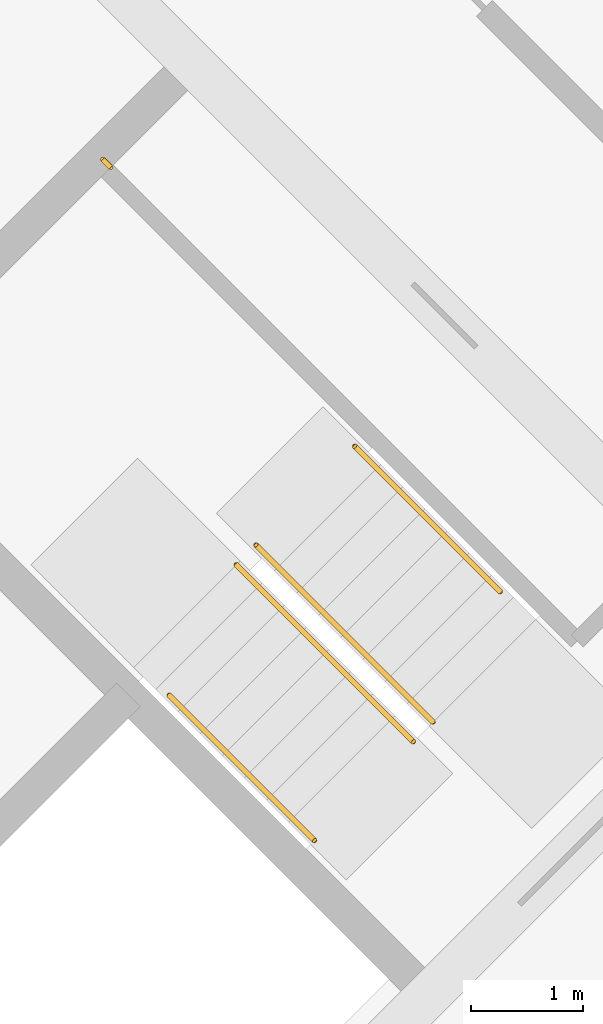
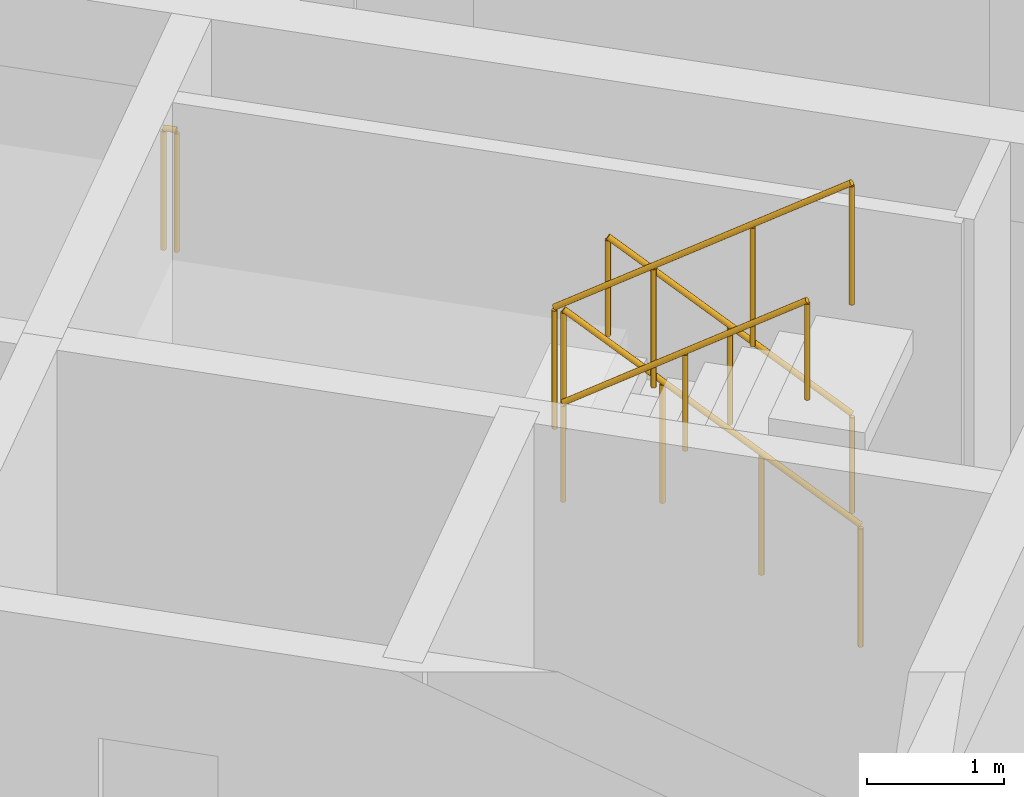
# One storey, part 13 of 13: 5 railings.
"""IFC4 building model written with IfcOpenShell, lengths in metres."""

from ifc_helpers import new_model, si_unit, direction, frame, origin, origin_2d, place, context, subcontext, project, spatial, circle, extrude, material, type_object, element, save


model = new_model("IFC4")

# Units and contexts
model_context = context("Model", 3, precision=1e-05, world=origin(), true_north=direction((0.0, 1.0)))
body_context = subcontext(model_context, "Body", "Model", "MODEL_VIEW")
ifc_project = project(units=[si_unit("LENGTHUNIT", "METRE"), si_unit("AREAUNIT", "SQUARE_METRE"), si_unit("VOLUMEUNIT", "CUBIC_METRE"), si_unit("PLANEANGLEUNIT", "RADIAN"), si_unit("MASSUNIT", "GRAM", prefix="KILO")], contexts=[model_context])

# Site, building, storey
site_placement = place(None, origin())
site = spatial("IfcSite", under=ifc_project, at=site_placement, CompositionType="ELEMENT")
building_placement = place(site_placement, origin())
building = spatial("IfcBuilding", under=site, at=building_placement, Name="Windrow Commons", CompositionType="ELEMENT")
storey_placement = place(building_placement, frame((0.0, 0.0, 264.2)))
storey = spatial("IfcBuildingStorey", under=building, at=storey_placement, Name="L72", CompositionType="ELEMENT", Elevation=264.2)

# Railings
ifc_material_1 = material(Name="Steel S355", Category="steel")
railing_type_1 = type_object("IfcRailingType", Name="Core stair guard 1100", PredefinedType="GUARDRAIL", material=ifc_material_1)
railing_1_placement = place(storey_placement, frame((94.2296, 48.4215, 0.1889)))
element("IfcRailing", 1, at=railing_1_placement, inside=storey, type_object=railing_type_1, Name="L72 ST-B2 stair guard 1", PredefinedType="GUARDRAIL", context=body_context, shape_type="SweptSolid", body=[
    extrude(circle(Radius=0.024, at=origin_2d()), frame((0.0, 0.0, 1.076), z_axis=(-0.5862157828, 0.5861787742, 0.5592365337), x_axis=(-0.7070844598, -0.7071291018, 0.0)), (0.0, 0.0, 1.0), 2.7021),
    extrude(circle(Radius=0.021, at=origin_2d()), origin(), (0.0, 0.0, 1.0), 1.052),
    extrude(circle(Radius=0.021, at=origin_2d()), frame((-0.528, 0.528, 0.5037)), (0.0, 0.0, 1.0), 1.052),
    extrude(circle(Radius=0.021, at=origin_2d()), frame((-1.056, 1.0559, 1.0074)), (0.0, 0.0, 1.0), 1.052),
    extrude(circle(Radius=0.021, at=origin_2d()), frame((-1.584, 1.5839, 1.5111)), (0.0, 0.0, 1.0), 1.052),
])
railing_2_placement = place(storey_placement, frame((92.4689, 49.8287, 1.8889)))
element("IfcRailing", 2, at=railing_2_placement, inside=storey, type_object=railing_type_1, Name="L72 ST-B2 stair guard 2", PredefinedType="GUARDRAIL", context=body_context, shape_type="SweptSolid", body=[
    extrude(circle(Radius=0.024, at=origin_2d()), frame((0.0, 0.0, 1.076), z_axis=(0.5861787742, -0.5862157828, 0.5592365337), x_axis=(0.7071291018, 0.7070844598, 0.0)), (0.0, 0.0, 1.0), 2.7021),
    extrude(circle(Radius=0.021, at=origin_2d()), origin(), (0.0, 0.0, 1.0), 1.052),
    extrude(circle(Radius=0.021, at=origin_2d()), frame((0.528, -0.528, 0.5037)), (0.0, 0.0, 1.0), 1.052),
    extrude(circle(Radius=0.021, at=origin_2d()), frame((1.0559, -1.056, 1.0074)), (0.0, 0.0, 1.0), 1.052),
    extrude(circle(Radius=0.021, at=origin_2d()), frame((1.5839, -1.584, 1.5111)), (0.0, 0.0, 1.0), 1.052),
])
railing_3_placement = place(storey_placement, frame((91.3446, 53.3854, 1.7)))
element("IfcRailing", 3, at=railing_3_placement, inside=storey, type_object=railing_type_1, Name="L72 ST-B2 stair guard 3", PredefinedType="GUARDRAIL", context=body_context, shape_type="SweptSolid", body=[
    extrude(circle(Radius=0.024, at=origin_2d()), frame((0.0, 0.0, 1.076), z_axis=(-0.7076063266, 0.7066068826, 0.0), x_axis=(-0.7066068826, -0.7076063266, 0.0)), (0.0, 0.0, 1.0), 0.1001),
    extrude(circle(Radius=0.021, at=origin_2d()), origin(), (0.0, 0.0, 1.0), 1.052),
    extrude(circle(Radius=0.021, at=origin_2d()), frame((-0.0708, 0.0707, 0.0)), (0.0, 0.0, 1.0), 1.052),
])
ifc_material_2 = material(Name="Steel S355", Category="steel")
railing_type_2 = type_object("IfcRailingType", Name="Core stair handrail 900", PredefinedType="HANDRAIL", material=ifc_material_2)
railing_4_placement = place(storey_placement, frame((94.8306, 49.5883, 0.4587)))
element("IfcRailing", 4, at=railing_4_placement, inside=storey, type_object=railing_type_2, Name="L72 ST-B2 stair handrail 1", PredefinedType="HANDRAIL", context=body_context, shape_type="SweptSolid", body=[
    extrude(circle(Radius=0.024, at=origin_2d()), frame((0.0, 0.0, 0.876), z_axis=(-0.586206706, 0.5861616513, 0.5592639952), x_axis=(-0.7070796062, -0.7071339551, 0.0)), (0.0, 0.0, 1.0), 2.2195),
    extrude(circle(Radius=0.021, at=origin_2d()), origin(), (0.0, 0.0, 1.0), 0.852),
    extrude(circle(Radius=0.021, at=origin_2d()), frame((-0.6506, 0.6505, 0.6206)), (0.0, 0.0, 1.0), 0.852),
    extrude(circle(Radius=0.021, at=origin_2d()), frame((-1.3011, 1.301, 1.2413)), (0.0, 0.0, 1.0), 0.852),
])
railing_5_placement = place(storey_placement, frame((91.8678, 48.6619, 2.1587)))
element("IfcRailing", 5, at=railing_5_placement, inside=storey, type_object=railing_type_2, Name="L72 ST-B2 stair handrail 2", PredefinedType="HANDRAIL", context=body_context, shape_type="SweptSolid", body=[
    extrude(circle(Radius=0.024, at=origin_2d()), frame((0.0, 0.0, 0.876), z_axis=(0.586206706, -0.5861616513, 0.5592639952), x_axis=(0.7070796062, 0.7071339551, 0.0)), (0.0, 0.0, 1.0), 2.2195),
    extrude(circle(Radius=0.021, at=origin_2d()), origin(), (0.0, 0.0, 1.0), 0.852),
    extrude(circle(Radius=0.021, at=origin_2d()), frame((0.6505, -0.6505, 0.6207)), (0.0, 0.0, 1.0), 0.852),
    extrude(circle(Radius=0.021, at=origin_2d()), frame((1.3011, -1.301, 1.2413)), (0.0, 0.0, 1.0), 0.852),
])

save(model, "model.ifc")
